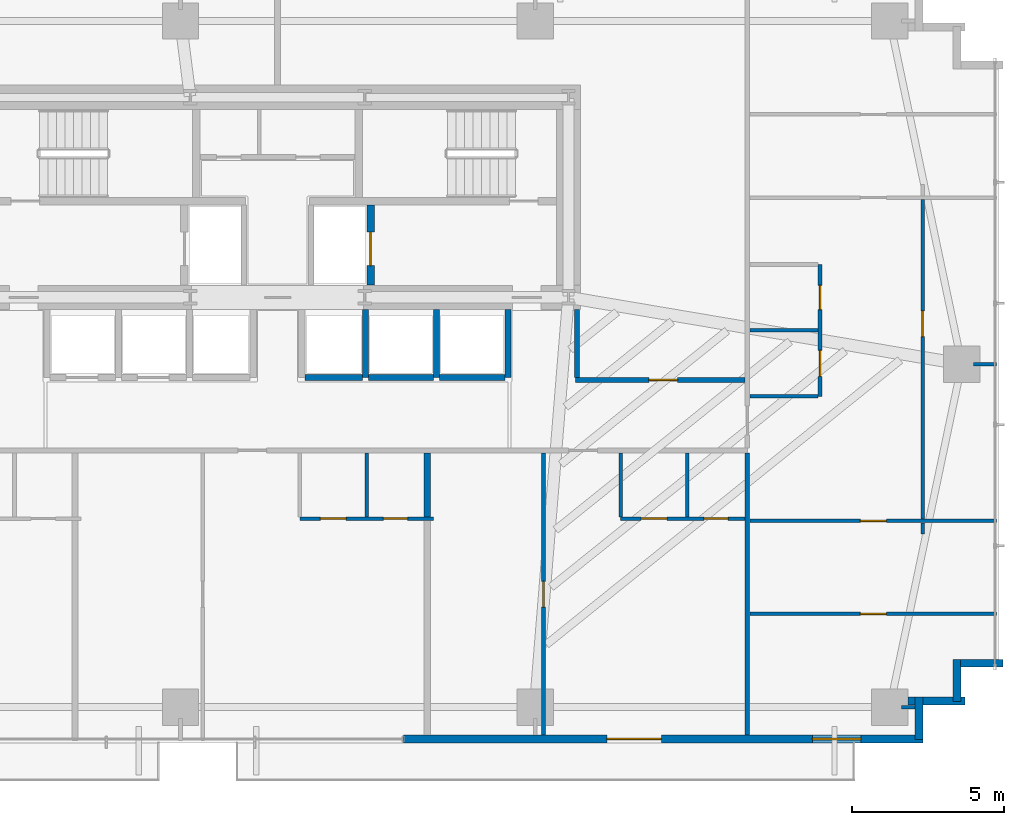
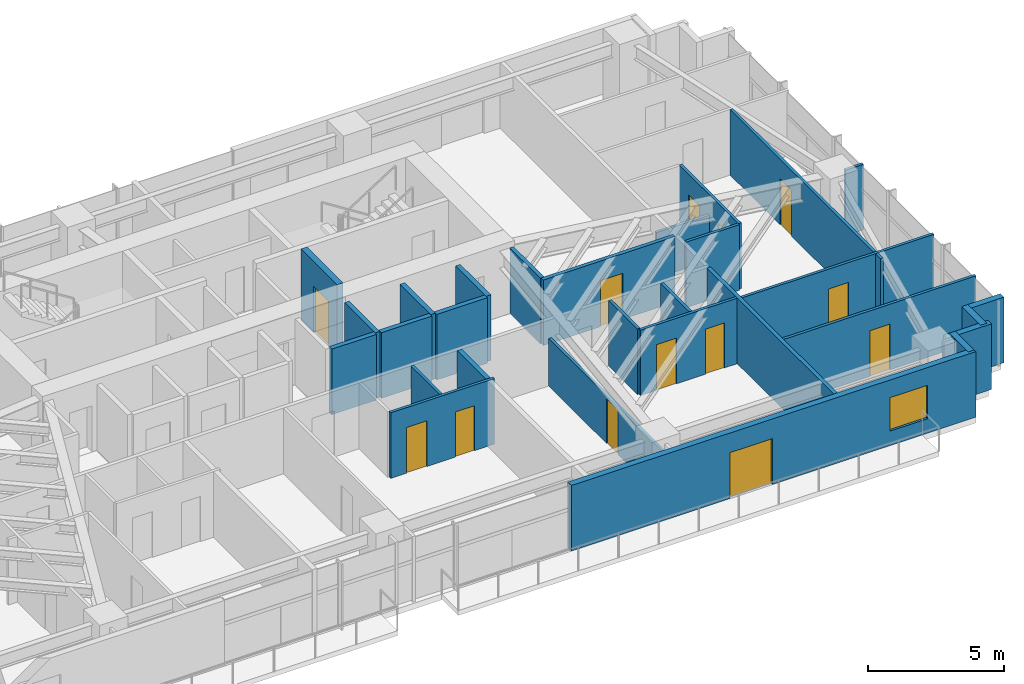
# One storey, part 21 of 25: 31 walls, 13 doors, 1 window, 14 openings.
"""IFC4 building model written with IfcOpenShell, lengths in metres."""

from ifc_helpers import new_model, si_unit, direction, frame, frame_2d, origin, place, context, subcontext, project, spatial, rectangle, extrude, source, transform, mapped, material, layer, layer_set, type_object, type_shapes, element, fill, save


model = new_model("IFC4")

# Units and contexts
model_context = context("Model", 3, precision=1e-05, world=origin(), true_north=direction((0.0, 1.0)))
body_context = subcontext(model_context, "Body", "Model", "MODEL_VIEW")
ifc_project = project(units=[si_unit("LENGTHUNIT", "METRE"), si_unit("AREAUNIT", "SQUARE_METRE"), si_unit("VOLUMEUNIT", "CUBIC_METRE"), si_unit("PLANEANGLEUNIT", "RADIAN"), si_unit("MASSUNIT", "GRAM", prefix="KILO")], contexts=[model_context])

# Site, building, storey
site_placement = place(None, origin())
site = spatial("IfcSite", under=ifc_project, at=site_placement, CompositionType="ELEMENT")
building_placement = place(site_placement, origin())
building = spatial("IfcBuilding", under=site, at=building_placement, Name="Astriad Promenade Condominiums", CompositionType="ELEMENT")
storey_placement = place(building_placement, frame((0.0, 0.0, 58.199951171875)))
storey = spatial("IfcBuildingStorey", under=building, at=storey_placement, Name="L16", CompositionType="ELEMENT", Elevation=58.199951171875)

# Wall, opening, door
ifc_material_1 = material(Name="Concrete C50/60", Category="concrete")
ifc_layer_1 = layer(ifc_material_1, 0.25)
ifc_layer_set_1 = layer_set([ifc_layer_1], Name="Concrete C50/60")
wall_type_1 = type_object("IfcWallType", Name="WALL-CORE-INT-250", PredefinedType="SOLIDWALL", material=ifc_layer_set_1)
wall_1_placement = place(storey_placement, frame((39.074951171875, 17.802001953125, 0.0), z_axis=(0.0, 0.0, 1.0), x_axis=(0.0, 1.0, 0.0)))
wall_1 = element("IfcWall", 1, at=wall_1_placement, inside=storey, type_object=wall_type_1, Name="CW-FFL2-E-L16", PredefinedType="SOLIDWALL", context=body_context, shape_type="SweptSolid", body=[
    extrude(rectangle(XDim=2.64599609375, YDim=0.25, at=frame_2d((1.322998046875, 0.0))), origin(), (0.0, 0.0, 1.0), 3.199951171875),
])
opening_1_placement = place(wall_1_placement, frame((0.64794921875, 0.0, 0.0)))
opening_1 = element("IfcOpeningElement", 2, at=opening_1_placement, cuts=wall_1, Name="Opening LD-FFL-1122", PredefinedType="OPENING", context=body_context, shape_type="SweptSolid", body=[
    extrude(rectangle(XDim=1.10009765625, YDim=2.080078125, at=frame_2d((0.550048828125, 1.0400390625))), frame((0.0, 0.135009765625, 0.0), z_axis=(0.0, -1.0, 0.0), x_axis=(1.0, 0.0, 0.0)), (0.0, 0.0, 1.0), 0.27001953125),
])
ifc_material_2 = material(Name="Brushed Stainless Steel Fire Elevator Landing Door", Category="steel")
door_type_1 = type_object("IfcDoorType", Name="LD-FFL-1122", OperationType="NOTDEFINED", PredefinedType="DOOR", material=ifc_material_2)
shared_shape_1 = source(origin(), body_context, "Body", "SweptSolid", [
    extrude(rectangle(XDim=1.10009765625, YDim=2.080078125, at=frame_2d((0.550048828125, 1.0400390625))), frame((0.0, 0.02490234375, 0.0), z_axis=(0.0, -1.0, 0.0), x_axis=(1.0, 0.0, 0.0)), (0.0, 0.0, 1.0), 0.050048828125),
])
type_shapes(door_type_1, [shared_shape_1])
door_1_placement = place(opening_1_placement, origin())
door_1 = element("IfcDoor", 3, at=door_1_placement, inside=storey, type_object=door_type_1, Name="Elevator Landing Door FFL-2 (L16)", OperationType="SLIDING_TO_RIGHT", OverallHeight=2.080078125, OverallWidth=1.10009765625, PredefinedType="DOOR", context=body_context, shape_type="MappedRepresentation", body=[
    mapped(shared_shape_1, transform((0.0, 0.0, 0.0), scale=1.0)),
])
fill(opening_1, door_1)

# Wall
ifc_material_3 = material(Name="Fire-Rated Gypsum Partition")
ifc_layer_2 = layer(ifc_material_3, 0.159912109375)
ifc_layer_set_2 = layer_set([ifc_layer_2], Name="Fire-Rated Gypsum Partition")
wall_type_2 = type_object("IfcWallType", Name="WALL-CORR-160", PredefinedType="PARTITIONING", material=ifc_layer_set_2)
wall_2_placement = place(storey_placement, frame((51.5, 2.9619140625, 0.0), z_axis=(0.0, 0.0, 1.0), x_axis=(0.0, 1.0, 0.0)))
element("IfcWall", 4, at=wall_2_placement, inside=storey, type_object=wall_type_2, Name="PT-COR-E-L16", PredefinedType="PARTITIONING", context=body_context, shape_type="SweptSolid", body=[
    extrude(rectangle(XDim=9.30615234375, YDim=0.159912109375, at=frame_2d((4.653076171875, 0.0))), origin(), (0.0, 0.0, 1.0), 2.93994140625),
])

# Wall, opening, door
wall_3_placement = place(storey_placement, frame((45.840087890625, 14.679931640625, 0.0), z_axis=(0.0, 0.0, 1.0), x_axis=(1.0, 0.0, 0.0)))
wall_3 = element("IfcWall", 5, at=wall_3_placement, inside=storey, type_object=wall_type_2, Name="PT-FLK-NE-L16", PredefinedType="PARTITIONING", context=body_context, shape_type="SweptSolid", body=[
    extrude(rectangle(XDim=5.577880859375, YDim=0.159912109375, at=frame_2d((2.7890625, 0.0))), origin(), (0.0, 0.0, 1.0), 2.93994140625),
])
opening_2_placement = place(wall_3_placement, frame((2.4150390625, 0.0, 0.0)))
opening_2 = element("IfcOpeningElement", 6, at=opening_2_placement, cuts=wall_3, Name="Opening FD60-APT-095", PredefinedType="OPENING", context=body_context, shape_type="SweptSolid", body=[
    extrude(rectangle(XDim=0.949951171875, YDim=2.06005859375, at=frame_2d((0.47509765625, 1.030029296875))), frame((0.0, 0.08984375, 0.0), z_axis=(0.0, -1.0, 0.0), x_axis=(1.0, 0.0, 0.0)), (0.0, 0.0, 1.0), 0.179931640625),
])
ifc_material_4 = material(Name="Solid-Core Acoustic Timber Residence Entry Door", Category="wood")
door_type_2 = type_object("IfcDoorType", Name="FD60-APT-095", OperationType="NOTDEFINED", PredefinedType="DOOR", material=ifc_material_4)
shared_shape_2 = source(origin(), body_context, "Body", "SweptSolid", [
    extrude(rectangle(XDim=0.949951171875, YDim=2.06005859375, at=frame_2d((0.47509765625, 1.030029296875))), frame((0.0, 0.02490234375, 0.0), z_axis=(0.0, -1.0, 0.0), x_axis=(1.0, 0.0, 0.0)), (0.0, 0.0, 1.0), 0.050048828125),
])
type_shapes(door_type_2, [shared_shape_2])
door_2_placement = place(opening_2_placement, origin())
door_2 = element("IfcDoor", 7, at=door_2_placement, inside=storey, type_object=door_type_2, Name="D-NEA-L16", OperationType="SINGLE_SWING_LEFT", OverallHeight=2.06005859375, OverallWidth=0.949951171875, PredefinedType="DOOR", context=body_context, shape_type="MappedRepresentation", body=[
    mapped(shared_shape_2, transform((0.0, 0.0, 0.0), scale=1.0)),
])
fill(opening_2, door_2)

# Walls
wall_4_placement = place(storey_placement, frame((45.8798828125, 14.761962890625, 0.0), z_axis=(0.0, 0.0, 1.0), x_axis=(0.0, 1.0, 0.0)))
element("IfcWall", 8, at=wall_4_placement, inside=storey, type_object=wall_type_2, Name="PT-ESPUR-E-L16", PredefinedType="PARTITIONING", context=body_context, shape_type="SweptSolid", body=[
    extrude(rectangle(XDim=2.236083984375, YDim=0.159912109375, at=frame_2d((1.1181640625, 0.0))), origin(), (0.0, 0.0, 1.0), 2.93994140625),
])
ifc_material_5 = material(Name="Acoustic Double-Stud Gypsum Partition")
ifc_layer_3 = layer(ifc_material_5, 0.199951171875)
ifc_layer_set_3 = layer_set([ifc_layer_3], Name="Acoustic Double-Stud Gypsum Partition")
wall_type_3 = type_object("IfcWallType", Name="WALL-DEMISING-200", PredefinedType="PARTITIONING", material=ifc_layer_set_3)
wall_5_placement = place(storey_placement, frame((40.93994140625, 10.162109375, 0.0), z_axis=(0.0, 0.0, 1.0), x_axis=(0.0, 1.0, 0.0)))
element("IfcWall", 9, at=wall_5_placement, inside=storey, type_object=wall_type_3, Name="PT-DEM-S2-L16-S2", PredefinedType="PARTITIONING", context=body_context, shape_type="SweptSolid", body=[
    extrude(rectangle(XDim=2.10595703125, YDim=0.199951171875, at=frame_2d((1.052978515625, 0.0))), origin(), (0.0, 0.0, 1.0), 2.93994140625),
])
ifc_material_6 = material(Name="Precast concrete C50/60", Category="concrete")
ifc_layer_4 = layer(ifc_material_6, 0.260009765625)
ifc_layer_set_4 = layer_set([ifc_layer_4], Name="Precast concrete C50/60")
wall_type_4 = type_object("IfcWallType", Name="WALL-EXT-TWR-260", PredefinedType="STANDARD", material=ifc_layer_set_4)
for number, where, z_axis, x_axis, name in (
    (10, (59.929931640625, 5.330078125, 0.0), (0.0, 0.0, 1.0), (-1.0, 0.0, 0.0), "W-SER-L16-14"),
    (11, (58.419921875, 5.4599609375, 0.0), (0.0, 0.0, 1.0), (0.0, -1.0, 0.0), "W-SER-L16-15"),
):
    element("IfcWall", number, at=place(storey_placement, frame(where, z_axis=z_axis, x_axis=x_axis)), inside=storey, type_object=wall_type_4, Name=name, PredefinedType="STANDARD", context=body_context, shape_type="SweptSolid", body=[
        extrude(rectangle(XDim=1.39501953125, YDim=0.260009765625, at=frame_2d((0.697509765625, 0.0))), origin(), (0.0, 0.0, 1.0), 2.93994140625),
    ])
wall_6_placement = place(storey_placement, frame((58.679931640625, 4.080078125, 0.0), z_axis=(0.0, 0.0, 1.0), x_axis=(-1.0, 0.0, 0.0)))
element("IfcWall", 12, at=wall_6_placement, inside=storey, type_object=wall_type_4, Name="W-SER-L16-16", PredefinedType="STANDARD", context=body_context, shape_type="SweptSolid", body=[
    extrude(rectangle(XDim=1.8779296875, YDim=0.260009765625, at=frame_2d((0.93896484375, 0.0))), origin(), (0.0, 0.0, 1.0), 2.93994140625),
])
wall_7_placement = place(storey_placement, frame((57.169921875, 4.2099609375, 0.0), z_axis=(0.0, 0.0, 1.0), x_axis=(0.0, -1.0, 0.0)))
element("IfcWall", 13, at=wall_7_placement, inside=storey, type_object=wall_type_4, Name="W-SER-L16-17", PredefinedType="STANDARD", context=body_context, shape_type="SweptSolid", body=[
    extrude(rectangle(XDim=1.39501953125, YDim=0.260009765625, at=frame_2d((0.697509765625, 0.0))), origin(), (0.0, 0.0, 1.0), 2.93994140625),
])

# Wall, openings, door, window
wall_8_placement = place(storey_placement, frame((57.300048828125, 2.830078125, 0.0), z_axis=(0.0, 0.0, 1.0), x_axis=(-1.0, 0.0, 0.0)))
wall_8 = element("IfcWall", 14, at=wall_8_placement, inside=storey, type_object=wall_type_4, Name="W-EXT-L16-S1", PredefinedType="STANDARD", context=body_context, shape_type="SweptSolid", body=[
    extrude(rectangle(XDim=17.150146484375, YDim=0.260009765625, at=frame_2d((8.5751953125, 0.0))), origin(), (0.0, 0.0, 1.0), 2.93994140625),
])
opening_3_placement = place(wall_8_placement, frame((8.633056640625, 0.0, 0.0)))
opening_3 = element("IfcOpeningElement", 15, at=opening_3_placement, cuts=wall_8, Name="Opening BD-1822-SLD", PredefinedType="OPENING", context=body_context, shape_type="SweptSolid", body=[
    extrude(rectangle(XDim=1.800048828125, YDim=2.06005859375, at=frame_2d((0.89990234375, 1.030029296875))), frame((0.0, 0.139892578125, 0.0), z_axis=(0.0, -1.0, 0.0), x_axis=(1.0, 0.0, 0.0)), (0.0, 0.0, 1.0), 0.280029296875),
])
opening_4_placement = place(wall_8_placement, frame((2.050048828125, 0.0, 0.64990234375)))
opening_4 = element("IfcOpeningElement", 16, at=opening_4_placement, cuts=wall_8, Name="Opening WIN-TWR-1620", PredefinedType="OPENING", context=body_context, shape_type="SweptSolid", body=[
    extrude(rectangle(XDim=1.60009765625, YDim=1.5, at=frame_2d((0.800048828125, 0.75))), frame((0.0, 0.139892578125, 0.0), z_axis=(0.0, -1.0, 0.0), x_axis=(1.0, 0.0, 0.0)), (0.0, 0.0, 1.0), 0.280029296875),
])
ifc_material_7 = material(Name="Thermally Broken Aluminium Sliding Balcony Door", Category="aluminium")
door_type_3 = type_object("IfcDoorType", Name="BD-1822-SLD", OperationType="NOTDEFINED", PredefinedType="DOOR", material=ifc_material_7)
shared_shape_3 = source(origin(), body_context, "Body", "SweptSolid", [
    extrude(rectangle(XDim=1.800048828125, YDim=2.06005859375, at=frame_2d((0.89990234375, 1.030029296875))), frame((0.0, 0.02490234375, 0.0), z_axis=(0.0, -1.0, 0.0), x_axis=(1.0, 0.0, 0.0)), (0.0, 0.0, 1.0), 0.050048828125),
])
type_shapes(door_type_3, [shared_shape_3])
door_3_placement = place(opening_3_placement, origin())
door_3 = element("IfcDoor", 17, at=door_3_placement, inside=storey, type_object=door_type_3, Name="BD-L16-SE", OperationType="SLIDING_TO_RIGHT", OverallHeight=2.06005859375, OverallWidth=1.800048828125, PredefinedType="DOOR", context=body_context, shape_type="MappedRepresentation", body=[
    mapped(shared_shape_3, transform((0.0, 0.0, 0.0), scale=1.0)),
])
fill(opening_3, door_3)
ifc_material_8 = material(Name="Dark Tinted Triple-Glazed Aluminium Window", Category="aluminium")
window_type = type_object("IfcWindowType", Name="WIN-TWR-1620", PartitioningType="SINGLE_PANEL", PredefinedType="WINDOW", material=ifc_material_8)
shared_shape_4 = source(origin(), body_context, "Body", "SweptSolid", [
    extrude(rectangle(XDim=1.60009765625, YDim=1.5, at=frame_2d((0.800048828125, 0.75))), frame((0.0, 0.030029296875, 0.0), z_axis=(0.0, -1.0, 0.0), x_axis=(1.0, 0.0, 0.0)), (0.0, 0.0, 1.0), 0.06005859375),
])
type_shapes(window_type, [shared_shape_4])
window_placement = place(opening_4_placement, origin())
window = element("IfcWindow", 18, at=window_placement, inside=storey, type_object=window_type, Name="WIN-L16-SE", OverallHeight=1.5, OverallWidth=1.60009765625, PartitioningType="SINGLE_PANEL", PredefinedType="WINDOW", context=body_context, shape_type="MappedRepresentation", body=[
    mapped(shared_shape_4, transform((0.0, 0.0, 0.0), scale=1.0)),
])
fill(opening_4, window)

# Wall, openings, doors
ifc_material_9 = material(Name="Acoustic Metal-Stud Gypsum Partition")
ifc_layer_5 = layer(ifc_material_9, 0.1201171875)
ifc_layer_set_5 = layer_set([ifc_layer_5], Name="Acoustic Metal-Stud Gypsum Partition")
wall_type_5 = type_object("IfcWallType", Name="WALL-PART-120", PredefinedType="PARTITIONING", material=ifc_layer_set_5)
wall_9_placement = place(storey_placement, frame((36.739990234375, 10.10009765625, 0.0), z_axis=(0.0, 0.0, 1.0), x_axis=(1.0, 0.0, 0.0)))
wall_9 = element("IfcWall", 19, at=wall_9_placement, inside=storey, type_object=wall_type_5, Name="PT-L16-S2-PS", PredefinedType="PARTITIONING", context=body_context, shape_type="SweptSolid", body=[
    extrude(rectangle(XDim=4.39990234375, YDim=0.1201171875, at=frame_2d((2.199951171875, 0.0))), origin(), (0.0, 0.0, 1.0), 2.93994140625),
])
opening_5_placement = place(wall_9_placement, frame((0.675048828125, 0.0, 0.0)))
opening_5 = element("IfcOpeningElement", 20, at=opening_5_placement, cuts=wall_9, Name="Opening D-INT-085", PredefinedType="OPENING", context=body_context, shape_type="SweptSolid", body=[
    extrude(rectangle(XDim=0.85009765625, YDim=2.050048828125, at=frame_2d((0.425048828125, 1.02490234375))), frame((0.0, 0.070068359375, 0.0), z_axis=(0.0, -1.0, 0.0), x_axis=(1.0, 0.0, 0.0)), (0.0, 0.0, 1.0), 0.14013671875),
])
opening_6_placement = place(wall_9_placement, frame((2.75, 0.0, 0.0)))
opening_6 = element("IfcOpeningElement", 21, at=opening_6_placement, cuts=wall_9, Name="Opening D-WET-080", PredefinedType="OPENING", context=body_context, shape_type="SweptSolid", body=[
    extrude(rectangle(XDim=0.800048828125, YDim=2.02001953125, at=frame_2d((0.39990234375, 1.010009765625))), frame((0.0, 0.070068359375, 0.0), z_axis=(0.0, -1.0, 0.0), x_axis=(1.0, 0.0, 0.0)), (0.0, 0.0, 1.0), 0.14013671875),
])
ifc_material_10 = material(Name="Moisture-Resistant Timber Bathroom Door", Category="wood")
door_type_4 = type_object("IfcDoorType", Name="D-WET-080", OperationType="NOTDEFINED", PredefinedType="DOOR", material=ifc_material_10)
shared_shape_5 = source(origin(), body_context, "Body", "SweptSolid", [
    extrude(rectangle(XDim=0.800048828125, YDim=2.02001953125, at=frame_2d((0.39990234375, 1.010009765625))), frame((0.0, 0.02490234375, 0.0), z_axis=(0.0, -1.0, 0.0), x_axis=(1.0, 0.0, 0.0)), (0.0, 0.0, 1.0), 0.050048828125),
])
type_shapes(door_type_4, [shared_shape_5])
door_4_placement = place(opening_6_placement, origin())
door_4 = element("IfcDoor", 22, at=door_4_placement, inside=storey, type_object=door_type_4, Name="D-BTH-L16-S2", OperationType="SINGLE_SWING_LEFT", OverallHeight=2.02001953125, OverallWidth=0.800048828125, PredefinedType="DOOR", context=body_context, shape_type="MappedRepresentation", body=[
    mapped(shared_shape_5, transform((0.0, 0.0, 0.0), scale=1.0)),
])
fill(opening_6, door_4)
ifc_material_11 = material(Name="Painted Solid-Core Timber Room Door", Category="wood")
door_type_5 = type_object("IfcDoorType", Name="D-INT-085", OperationType="NOTDEFINED", PredefinedType="DOOR", material=ifc_material_11)
shared_shape_6 = source(origin(), body_context, "Body", "SweptSolid", [
    extrude(rectangle(XDim=0.85009765625, YDim=2.050048828125, at=frame_2d((0.425048828125, 1.02490234375))), frame((0.0, 0.02490234375, 0.0), z_axis=(0.0, -1.0, 0.0), x_axis=(1.0, 0.0, 0.0)), (0.0, 0.0, 1.0), 0.050048828125),
])
type_shapes(door_type_5, [shared_shape_6])
door_5_placement = place(opening_5_placement, origin())
door_5 = element("IfcDoor", 23, at=door_5_placement, inside=storey, type_object=door_type_5, Name="D-KIT-L16-S2", OperationType="SINGLE_SWING_RIGHT", OverallHeight=2.050048828125, OverallWidth=0.85009765625, PredefinedType="DOOR", context=body_context, shape_type="MappedRepresentation", body=[
    mapped(shared_shape_6, transform((0.0, 0.0, 0.0), scale=1.0)),
])
fill(opening_5, door_5)

# Wall
wall_10_placement = place(storey_placement, frame((38.93994140625, 10.162109375, 0.0), z_axis=(0.0, 0.0, 1.0), x_axis=(0.0, 1.0, 0.0)))
element("IfcWall", 24, at=wall_10_placement, inside=storey, type_object=wall_type_5, Name="PT-L16-S2-PB", PredefinedType="PARTITIONING", context=body_context, shape_type="SweptSolid", body=[
    extrude(rectangle(XDim=2.10595703125, YDim=0.1201171875, at=frame_2d((1.052978515625, 0.0))), origin(), (0.0, 0.0, 1.0), 2.93994140625),
])

# Wall, openings, doors
wall_11_placement = place(storey_placement, frame((47.320068359375, 10.10009765625, 0.0), z_axis=(0.0, 0.0, 1.0), x_axis=(1.0, 0.0, 0.0)))
wall_11 = element("IfcWall", 25, at=wall_11_placement, inside=storey, type_object=wall_type_5, Name="PT-L16-S3-PS", PredefinedType="PARTITIONING", context=body_context, shape_type="SweptSolid", body=[
    extrude(rectangle(XDim=4.097900390625, YDim=0.1201171875, at=frame_2d((2.048828125, 0.0))), origin(), (0.0, 0.0, 1.0), 2.93994140625),
])
opening_7_placement = place(wall_11_placement, frame((0.675048828125, 0.0, 0.0)))
opening_7 = element("IfcOpeningElement", 26, at=opening_7_placement, cuts=wall_11, Name="Opening D-INT-085", PredefinedType="OPENING", context=body_context, shape_type="SweptSolid", body=[
    extrude(rectangle(XDim=0.85009765625, YDim=2.050048828125, at=frame_2d((0.425048828125, 1.02490234375))), frame((0.0, 0.070068359375, 0.0), z_axis=(0.0, -1.0, 0.0), x_axis=(1.0, 0.0, 0.0)), (0.0, 0.0, 1.0), 0.14013671875),
])
opening_8_placement = place(wall_11_placement, frame((2.75, 0.0, 0.0)))
opening_8 = element("IfcOpeningElement", 27, at=opening_8_placement, cuts=wall_11, Name="Opening D-WET-080", PredefinedType="OPENING", context=body_context, shape_type="SweptSolid", body=[
    extrude(rectangle(XDim=0.800048828125, YDim=2.02001953125, at=frame_2d((0.39990234375, 1.010009765625))), frame((0.0, 0.070068359375, 0.0), z_axis=(0.0, -1.0, 0.0), x_axis=(1.0, 0.0, 0.0)), (0.0, 0.0, 1.0), 0.14013671875),
])
door_6_placement = place(opening_8_placement, origin())
door_6 = element("IfcDoor", 28, at=door_6_placement, inside=storey, type_object=door_type_4, Name="D-BTH-L16-S3", OperationType="SINGLE_SWING_LEFT", OverallHeight=2.02001953125, OverallWidth=0.800048828125, PredefinedType="DOOR", context=body_context, shape_type="MappedRepresentation", body=[
    mapped(shared_shape_5, transform((0.0, 0.0, 0.0), scale=1.0)),
])
fill(opening_8, door_6)
door_7_placement = place(opening_7_placement, origin())
door_7 = element("IfcDoor", 29, at=door_7_placement, inside=storey, type_object=door_type_5, Name="D-KIT-L16-S3", OperationType="SINGLE_SWING_RIGHT", OverallHeight=2.050048828125, OverallWidth=0.85009765625, PredefinedType="DOOR", context=body_context, shape_type="MappedRepresentation", body=[
    mapped(shared_shape_6, transform((0.0, 0.0, 0.0), scale=1.0)),
])
fill(opening_7, door_7)

# Walls
for number, where, z_axis, x_axis, name in (
    (30, (47.320068359375, 10.162109375, 0.0), (0.0, 0.0, 1.0), (0.0, 1.0, 0.0), "PT-L16-S3-PK"),
    (31, (49.52001953125, 10.162109375, 0.0), (0.0, 0.0, 1.0), (0.0, 1.0, 0.0), "PT-L16-S3-PB"),
):
    element("IfcWall", number, at=place(storey_placement, frame(where, z_axis=z_axis, x_axis=x_axis)), inside=storey, type_object=wall_type_5, Name=name, PredefinedType="PARTITIONING", context=body_context, shape_type="SweptSolid", body=[
        extrude(rectangle(XDim=2.10595703125, YDim=0.1201171875, at=frame_2d((1.052978515625, 0.0))), origin(), (0.0, 0.0, 1.0), 2.93994140625),
    ])

# Wall, opening, door
wall_12_placement = place(storey_placement, frame((44.777099609375, 2.9619140625, 0.0), z_axis=(0.0, 0.0, 1.0), x_axis=(0.0, 1.0, 0.0)))
wall_12 = element("IfcWall", 32, at=wall_12_placement, inside=storey, type_object=wall_type_5, Name="PT-L16-S3-CAP1", PredefinedType="PARTITIONING", context=body_context, shape_type="SweptSolid", body=[
    extrude(rectangle(XDim=9.30615234375, YDim=0.1201171875, at=frame_2d((4.653076171875, 0.0))), origin(), (0.0, 0.0, 1.0), 2.13623046875),
])
opening_9_placement = place(wall_12_placement, frame((4.218017578125, 0.0, 0.0)))
opening_9 = element("IfcOpeningElement", 33, at=opening_9_placement, cuts=wall_12, Name="Opening D-LOW-085", PredefinedType="OPENING", context=body_context, shape_type="SweptSolid", body=[
    extrude(rectangle(XDim=0.85009765625, YDim=2.010009765625, at=frame_2d((0.425048828125, 1.0048828125))), frame((0.0, 0.070068359375, 0.0), z_axis=(0.0, -1.0, 0.0), x_axis=(1.0, 0.0, 0.0)), (0.0, 0.0, 1.0), 0.14013671875),
])
ifc_material_12 = material(Name="Painted Timber Under-Girder Room Door", Category="wood")
door_type_6 = type_object("IfcDoorType", Name="D-LOW-085", OperationType="NOTDEFINED", PredefinedType="DOOR", material=ifc_material_12)
shared_shape_7 = source(origin(), body_context, "Body", "SweptSolid", [
    extrude(rectangle(XDim=0.85009765625, YDim=2.010009765625, at=frame_2d((0.425048828125, 1.0048828125))), frame((0.0, 0.02490234375, 0.0), z_axis=(0.0, -1.0, 0.0), x_axis=(1.0, 0.0, 0.0)), (0.0, 0.0, 1.0), 0.050048828125),
])
type_shapes(door_type_6, [shared_shape_7])
door_8_placement = place(opening_9_placement, origin())
door_8 = element("IfcDoor", 34, at=door_8_placement, inside=storey, type_object=door_type_6, Name="D-CAP1-L16-S3", OperationType="SINGLE_SWING_RIGHT", OverallHeight=2.010009765625, OverallWidth=0.85009765625, PredefinedType="DOOR", context=body_context, shape_type="MappedRepresentation", body=[
    mapped(shared_shape_7, transform((0.0, 0.0, 0.0), scale=1.0)),
])
fill(opening_9, door_8)

# Wall, openings, doors
wall_13_placement = place(storey_placement, frame((53.89990234375, 14.135986328125, 0.0), z_axis=(0.0, 0.0, 1.0), x_axis=(0.0, 1.0, 0.0)))
wall_13 = element("IfcWall", 35, at=wall_13_placement, inside=storey, type_object=wall_type_5, Name="PT-L16-E1-PV", PredefinedType="PARTITIONING", context=body_context, shape_type="SweptSolid", body=[
    extrude(rectangle(XDim=4.35009765625, YDim=0.1201171875, at=frame_2d((2.175048828125, 0.0))), origin(), (0.0, 0.0, 1.0), 2.93994140625),
])
opening_10_placement = place(wall_13_placement, frame((0.662109375, 0.0, 0.0)))
opening_10 = element("IfcOpeningElement", 36, at=opening_10_placement, cuts=wall_13, Name="Opening D-INT-085", PredefinedType="OPENING", context=body_context, shape_type="SweptSolid", body=[
    extrude(rectangle(XDim=0.85009765625, YDim=2.050048828125, at=frame_2d((0.425048828125, 1.02490234375))), frame((0.0, 0.070068359375, 0.0), z_axis=(0.0, -1.0, 0.0), x_axis=(1.0, 0.0, 0.0)), (0.0, 0.0, 1.0), 0.14013671875),
])
opening_11_placement = place(wall_13_placement, frame((2.862060546875, 0.0, 0.0)))
opening_11 = element("IfcOpeningElement", 37, at=opening_11_placement, cuts=wall_13, Name="Opening D-WET-080", PredefinedType="OPENING", context=body_context, shape_type="SweptSolid", body=[
    extrude(rectangle(XDim=0.800048828125, YDim=2.02001953125, at=frame_2d((0.39990234375, 1.010009765625))), frame((0.0, 0.070068359375, 0.0), z_axis=(0.0, -1.0, 0.0), x_axis=(1.0, 0.0, 0.0)), (0.0, 0.0, 1.0), 0.14013671875),
])
door_9_placement = place(opening_11_placement, origin())
door_9 = element("IfcDoor", 38, at=door_9_placement, inside=storey, type_object=door_type_4, Name="D-BTH-L16-E1", OperationType="SINGLE_SWING_RIGHT", OverallHeight=2.02001953125, OverallWidth=0.800048828125, PredefinedType="DOOR", context=body_context, shape_type="MappedRepresentation", body=[
    mapped(shared_shape_5, transform((0.0, 0.0, 0.0), scale=1.0)),
])
fill(opening_11, door_9)
door_10_placement = place(opening_10_placement, origin())
door_10 = element("IfcDoor", 39, at=door_10_placement, inside=storey, type_object=door_type_5, Name="D-KIT-L16-E1", OperationType="SINGLE_SWING_LEFT", OverallHeight=2.050048828125, OverallWidth=0.85009765625, PredefinedType="DOOR", context=body_context, shape_type="MappedRepresentation", body=[
    mapped(shared_shape_6, transform((0.0, 0.0, 0.0), scale=1.0)),
])
fill(opening_10, door_10)

# Walls
wall_14_placement = place(storey_placement, frame((51.58203125, 16.31103515625, 0.0), z_axis=(0.0, 0.0, 1.0), x_axis=(1.0, 0.0, 0.0)))
element("IfcWall", 40, at=wall_14_placement, inside=storey, type_object=wall_type_5, Name="PT-L16-E1-PM", PredefinedType="PARTITIONING", context=body_context, shape_type="SweptSolid", body=[
    extrude(rectangle(XDim=2.255859375, YDim=0.1201171875, at=frame_2d((1.1279296875, 0.0))), origin(), (0.0, 0.0, 1.0), 2.044921875),
])
wall_15_placement = place(storey_placement, frame((51.58203125, 14.135986328125, 0.0), z_axis=(0.0, 0.0, 1.0), x_axis=(1.0, 0.0, 0.0)))
element("IfcWall", 41, at=wall_15_placement, inside=storey, type_object=wall_type_5, Name="PT-L16-E1-PS", PredefinedType="PARTITIONING", context=body_context, shape_type="SweptSolid", body=[
    extrude(rectangle(XDim=2.255859375, YDim=0.1201171875, at=frame_2d((1.1279296875, 0.0))), origin(), (0.0, 0.0, 1.0), 2.93994140625),
])

# Wall, opening, door
wall_16_placement = place(storey_placement, frame((51.58203125, 6.9599609375, 0.0), z_axis=(0.0, 0.0, 1.0), x_axis=(1.0, 0.0, 0.0)))
wall_16 = element("IfcWall", 42, at=wall_16_placement, inside=storey, type_object=wall_type_5, Name="PT-L16-E1-WDS1", PredefinedType="PARTITIONING", context=body_context, shape_type="SweptSolid", body=[
    extrude(rectangle(XDim=8.137939453125, YDim=0.1201171875, at=frame_2d((4.06884765625, 0.0))), origin(), (0.0, 0.0, 1.0), 2.93994140625),
])
opening_12_placement = place(wall_16_placement, frame((3.653076171875, 0.0, 0.0)))
opening_12 = element("IfcOpeningElement", 43, at=opening_12_placement, cuts=wall_16, Name="Opening D-INT-085", PredefinedType="OPENING", context=body_context, shape_type="SweptSolid", body=[
    extrude(rectangle(XDim=0.85009765625, YDim=2.050048828125, at=frame_2d((0.425048828125, 1.02490234375))), frame((0.0, 0.070068359375, 0.0), z_axis=(0.0, -1.0, 0.0), x_axis=(1.0, 0.0, 0.0)), (0.0, 0.0, 1.0), 0.14013671875),
])
door_11_placement = place(opening_12_placement, origin())
door_11 = element("IfcDoor", 44, at=door_11_placement, inside=storey, type_object=door_type_5, Name="D-WDS1-L16-E1", OperationType="SINGLE_SWING_LEFT", OverallHeight=2.050048828125, OverallWidth=0.85009765625, PredefinedType="DOOR", context=body_context, shape_type="MappedRepresentation", body=[
    mapped(shared_shape_6, transform((0.0, 0.0, 0.0), scale=1.0)),
])
fill(opening_12, door_11)

wall_17_placement = place(storey_placement, frame((51.58203125, 10.02587890625, 0.0), z_axis=(0.0, 0.0, 1.0), x_axis=(1.0, 0.0, 0.0)))
wall_17 = element("IfcWall", 45, at=wall_17_placement, inside=storey, type_object=wall_type_5, Name="PT-L16-E1-WDS3", PredefinedType="PARTITIONING", context=body_context, shape_type="SweptSolid", body=[
    extrude(rectangle(XDim=8.137939453125, YDim=0.1201171875, at=frame_2d((4.06884765625, 0.0))), origin(), (0.0, 0.0, 1.0), 2.93994140625),
])
opening_13_placement = place(wall_17_placement, frame((3.653076171875, 0.0, 0.0)))
opening_13 = element("IfcOpeningElement", 46, at=opening_13_placement, cuts=wall_17, Name="Opening D-INT-085", PredefinedType="OPENING", context=body_context, shape_type="SweptSolid", body=[
    extrude(rectangle(XDim=0.85009765625, YDim=2.050048828125, at=frame_2d((0.425048828125, 1.02490234375))), frame((0.0, 0.070068359375, 0.0), z_axis=(0.0, -1.0, 0.0), x_axis=(1.0, 0.0, 0.0)), (0.0, 0.0, 1.0), 0.14013671875),
])
door_12_placement = place(opening_13_placement, origin())
door_12 = element("IfcDoor", 47, at=door_12_placement, inside=storey, type_object=door_type_5, Name="D-WDS3-L16-E1", OperationType="SINGLE_SWING_LEFT", OverallHeight=2.050048828125, OverallWidth=0.85009765625, PredefinedType="DOOR", context=body_context, shape_type="MappedRepresentation", body=[
    mapped(shared_shape_6, transform((0.0, 0.0, 0.0), scale=1.0)),
])
fill(opening_13, door_12)

# Wall
wall_18_placement = place(storey_placement, frame((57.287109375, 9.5859375, 0.0), z_axis=(0.0, 0.0, 1.0), x_axis=(0.0, 1.0, 0.0)))
element("IfcWall", 48, at=wall_18_placement, inside=storey, type_object=wall_type_5, Name="PT-L16-E1-WDV5", PredefinedType="PARTITIONING", context=body_context, shape_type="SweptSolid", body=[
    extrude(rectangle(XDim=0.378173828125, YDim=0.1201171875, at=frame_2d((0.18896484375, 0.0))), origin(), (0.0, 0.0, 1.0), 2.93994140625),
])

# Wall, opening, door
wall_19_placement = place(storey_placement, frame((57.287109375, 10.087890625, 0.0), z_axis=(0.0, 0.0, 1.0), x_axis=(0.0, 1.0, 0.0)))
wall_19 = element("IfcWall", 49, at=wall_19_placement, inside=storey, type_object=wall_type_5, Name="PT-L16-E1-WDV5-S2", PredefinedType="PARTITIONING", context=body_context, shape_type="SweptSolid", body=[
    extrude(rectangle(XDim=10.5380859375, YDim=0.1201171875, at=frame_2d((5.26904296875, 0.0))), origin(), (0.0, 0.0, 1.0), 2.93994140625),
])
opening_14_placement = place(wall_19_placement, frame((6.02001953125, 0.0, 0.0)))
opening_14 = element("IfcOpeningElement", 50, at=opening_14_placement, cuts=wall_19, Name="Opening D-INT-085", PredefinedType="OPENING", context=body_context, shape_type="SweptSolid", body=[
    extrude(rectangle(XDim=0.85009765625, YDim=2.050048828125, at=frame_2d((0.425048828125, 1.02490234375))), frame((0.0, 0.070068359375, 0.0), z_axis=(0.0, -1.0, 0.0), x_axis=(1.0, 0.0, 0.0)), (0.0, 0.0, 1.0), 0.14013671875),
])
door_13_placement = place(opening_14_placement, origin())
door_13 = element("IfcDoor", 51, at=door_13_placement, inside=storey, type_object=door_type_5, Name="D-WDV5-L16-E1", OperationType="SINGLE_SWING_LEFT", OverallHeight=2.050048828125, OverallWidth=0.85009765625, PredefinedType="DOOR", context=body_context, shape_type="MappedRepresentation", body=[
    mapped(shared_shape_6, transform((0.0, 0.0, 0.0), scale=1.0)),
])
fill(opening_14, door_13)

# Walls
wall_20_placement = place(storey_placement, frame((56.580078125, 3.8798828125, 0.0), z_axis=(0.0, 0.0, 1.0), x_axis=(1.0, 0.0, 0.0)))
element("IfcWall", 52, at=wall_20_placement, inside=storey, type_object=wall_type_5, Name="PT-PIL-L16-PC05-12", PredefinedType="PARTITIONING", context=body_context, shape_type="SweptSolid", body=[
    extrude(rectangle(XDim=0.4580078125, YDim=0.1201171875, at=frame_2d((0.22900390625, 0.0))), origin(), (0.0, 0.0, 1.0), 2.93994140625),
])
wall_21_placement = place(storey_placement, frame((58.9599609375, 15.199951171875, 0.0), z_axis=(0.0, 0.0, 1.0), x_axis=(1.0, 0.0, 0.0)))
element("IfcWall", 53, at=wall_21_placement, inside=storey, type_object=wall_type_5, Name="PT-PIL-L16-PC12-19", PredefinedType="PARTITIONING", context=body_context, shape_type="SweptSolid", body=[
    extrude(rectangle(XDim=0.760009765625, YDim=0.1201171875, at=frame_2d((0.3798828125, 0.0))), origin(), (0.0, 0.0, 1.0), 2.93994140625),
])
ifc_material_13 = material(Name="Gypsum Shaftliner Assembly")
ifc_layer_6 = layer(ifc_material_13, 0.199951171875)
ifc_layer_set_6 = layer_set([ifc_layer_6], Name="Gypsum Shaftliner Assembly")
wall_type_6 = type_object("IfcWallType", Name="WALL-SHAFT-200", PredefinedType="PARTITIONING", material=ifc_layer_set_6)
wall_22_placement = place(storey_placement, frame((38.89990234375, 14.75, 0.0), z_axis=(0.0, 0.0, 1.0), x_axis=(0.0, 1.0, 0.0)))
element("IfcWall", 54, at=wall_22_placement, inside=storey, type_object=wall_type_6, Name="PL-MH-DIV-L16", PredefinedType="PARTITIONING", context=body_context, shape_type="SweptSolid", body=[
    extrude(rectangle(XDim=2.248046875, YDim=0.199951171875, at=frame_2d((1.1240234375, 0.0))), origin(), (0.0, 0.0, 1.0), 2.93994140625),
])
wall_23_placement = place(storey_placement, frame((36.902099609375, 14.75, 0.0), z_axis=(0.0, 0.0, 1.0), x_axis=(1.0, 0.0, 0.0)))
element("IfcWall", 55, at=wall_23_placement, inside=storey, type_object=wall_type_6, Name="PL-M2-F-L16", PredefinedType="PARTITIONING", context=body_context, shape_type="SweptSolid", body=[
    extrude(rectangle(XDim=1.89599609375, YDim=0.199951171875, at=frame_2d((0.947998046875, 0.0))), origin(), (0.0, 0.0, 1.0), 2.93994140625),
])
for number, where, z_axis, x_axis, name in (
    (56, (41.25, 14.75, 0.0), (0.0, 0.0, 1.0), (0.0, 1.0, 0.0), "PL-H-DIV-L16"),
    (57, (43.60009765625, 14.75, 0.0), (0.0, 0.0, 1.0), (0.0, 1.0, 0.0), "PL-E-OUT-L16"),
):
    element("IfcWall", number, at=place(storey_placement, frame(where, z_axis=z_axis, x_axis=x_axis)), inside=storey, type_object=wall_type_6, Name=name, PredefinedType="PARTITIONING", context=body_context, shape_type="SweptSolid", body=[
        extrude(rectangle(XDim=2.248046875, YDim=0.199951171875, at=frame_2d((1.1240234375, 0.0))), origin(), (0.0, 0.0, 1.0), 2.93994140625),
    ])
for number, where, z_axis, x_axis, name in (
    (58, (39.001953125, 14.75, 0.0), (0.0, 0.0, 1.0), (1.0, 0.0, 0.0), "PL-H-FRT-L16"),
    (59, (41.35205078125, 14.75, 0.0), (0.0, 0.0, 1.0), (1.0, 0.0, 0.0), "PL-H-FRT-L16-S2"),
):
    element("IfcWall", number, at=place(storey_placement, frame(where, z_axis=z_axis, x_axis=x_axis)), inside=storey, type_object=wall_type_6, Name=name, PredefinedType="PARTITIONING", context=body_context, shape_type="SweptSolid", body=[
        extrude(rectangle(XDim=2.14599609375, YDim=0.199951171875, at=frame_2d((1.072998046875, 0.0))), origin(), (0.0, 0.0, 1.0), 2.93994140625),
    ])

save(model, "model.ifc")
